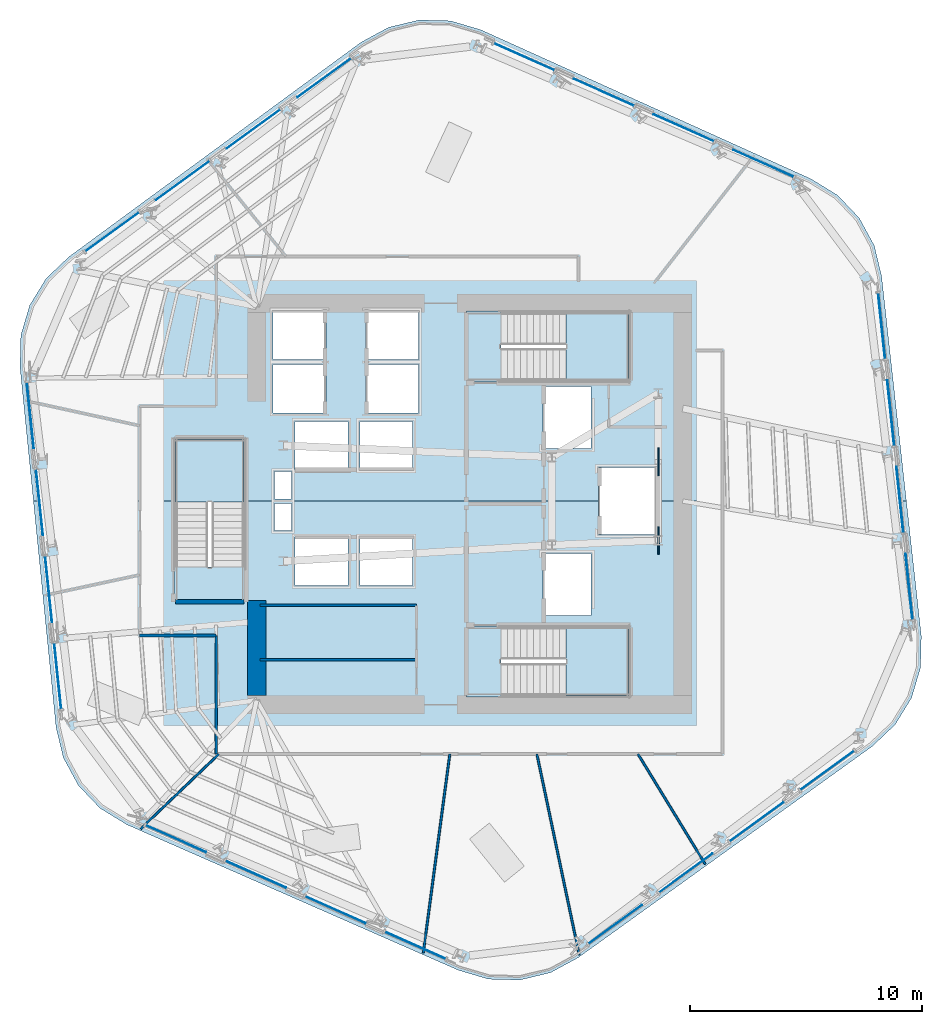
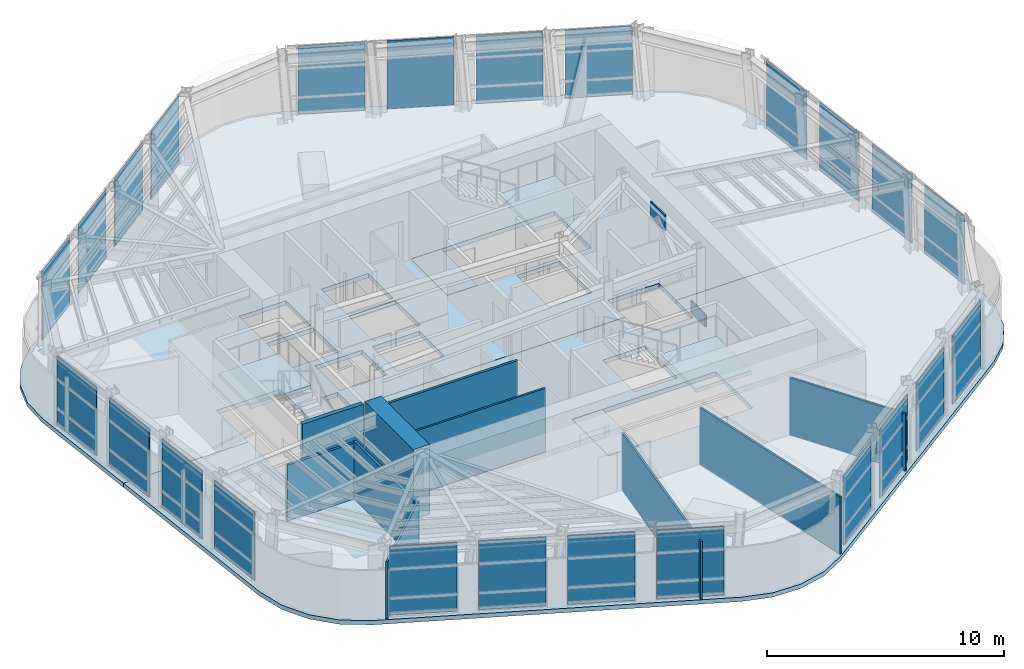
# One storey, part 7 of 14: 26 plates, 10 walls, 8 slabs, 9 elements without a shape of their own.
"""IFC4 building model written with IfcOpenShell, lengths in metres."""

from ifc_helpers import new_model, si_unit, direction, frame, frame_2d, origin, origin_2d, place, context, subcontext, project, spatial, polyline, rectangle, outline, extrude, material, layer, layer_set, type_object, element, aggregate, save


model = new_model("IFC4")

# Units and contexts
model_context = context("Model", 3, precision=1e-05, world=origin(), true_north=direction((0.0, 1.0)))
body_context = subcontext(model_context, "Body", "Model", "MODEL_VIEW")
ifc_project = project(units=[si_unit("LENGTHUNIT", "METRE"), si_unit("AREAUNIT", "SQUARE_METRE"), si_unit("VOLUMEUNIT", "CUBIC_METRE"), si_unit("PLANEANGLEUNIT", "RADIAN"), si_unit("MASSUNIT", "GRAM", prefix="KILO")], contexts=[model_context])

# Site, building, storey
site_placement = place(None, origin())
site = spatial("IfcSite", under=ifc_project, at=site_placement, CompositionType="ELEMENT")
building_placement = place(site_placement, origin())
building = spatial("IfcBuilding", under=site, at=building_placement, Name="Valkerne Bourse Tower", CompositionType="ELEMENT")
storey_placement = place(building_placement, frame((0.0, 0.0, 178.0)))
storey = spatial("IfcBuildingStorey", under=building, at=storey_placement, Name="L45", CompositionType="ELEMENT", Elevation=178.0)

# Curtain wall, plates
ifc_material_1 = material(Name="Aluminium AA 6063-T6", Category="aluminium")
ifc_layer_1 = layer(ifc_material_1, 0.235107421875)
ifc_layer_set_1 = layer_set([ifc_layer_1], Name="Aluminium AA 6063-T6")
curtain_wall_type = type_object("IfcCurtainWallType", Name="CW-03", PredefinedType="NOTDEFINED", material=ifc_layer_set_1)
curtain_wall_1_placement = place(storey_placement, origin())
curtain_wall_1 = element("IfcCurtainWall", 1, at=curtain_wall_1_placement, inside=storey, type_object=curtain_wall_type, Name="L45 Hexagonal Stick Curtain Wall Face 1", PredefinedType="NOTDEFINED")
ifc_material_2 = material(Name="Glass IGU Low-E Double Glazed", Category="glass")
ifc_layer_2 = layer(ifc_material_2, 0.031982421875)
ifc_layer_set_2 = layer_set([ifc_layer_2], Name="Glass IGU Low-E Double Glazed")
plate_type_1 = type_object("IfcPlateType", Name="CW-PNL-IGU-32", PredefinedType="CURTAIN_PANEL", material=ifc_layer_set_2)
plate_1_placement = place(storey_placement, frame((59.4853515625, 41.584716796875, 0.030029296875), z_axis=(0.0, 0.0, 1.0), x_axis=(-0.913546720929, 0.406733805676, 0.0)))
plate_1 = element("IfcPlate", 2, at=plate_1_placement, type_object=plate_type_1, Name="CW-L45-F1 Curtain Panel 00", PredefinedType="CURTAIN_PANEL", context=body_context, shape_type="SweptSolid", body=[
    extrude(rectangle(XDim=2.85107421875, YDim=0.031982421875, at=origin_2d()), origin(), (0.0, 0.0, 1.0), 3.52001953125),
])
plate_2_placement = place(storey_placement, frame((56.040283203125, 43.118408203125, 0.030029296875), z_axis=(0.0, 0.0, 1.0), x_axis=(-0.913546720929, 0.406733805676, 0.0)))
plate_2 = element("IfcPlate", 3, at=plate_2_placement, type_object=plate_type_1, Name="CW-L45-F1 Curtain Panel 01", PredefinedType="CURTAIN_PANEL", context=body_context, shape_type="SweptSolid", body=[
    extrude(rectangle(XDim=2.85107421875, YDim=0.031982421875, at=origin_2d()), origin(), (0.0, 0.0, 1.0), 3.52001953125),
])
plate_3_placement = place(storey_placement, frame((52.59521484375, 44.652099609375, 0.030029296875), z_axis=(0.0, 0.0, 1.0), x_axis=(-0.913546720929, 0.406733805676, 0.0)))
plate_3 = element("IfcPlate", 4, at=plate_3_placement, type_object=plate_type_1, Name="CW-L45-F1 Curtain Panel 02", PredefinedType="CURTAIN_PANEL", context=body_context, shape_type="SweptSolid", body=[
    extrude(rectangle(XDim=2.85107421875, YDim=0.031982421875, at=origin_2d()), origin(), (0.0, 0.0, 1.0), 3.52001953125),
])
plate_4_placement = place(storey_placement, frame((49.150390625, 46.18603515625, 0.030029296875), z_axis=(0.0, 0.0, 1.0), x_axis=(-0.913542333826, 0.406743659211, 0.0)))
plate_4 = element("IfcPlate", 5, at=plate_4_placement, type_object=plate_type_1, Name="CW-L45-F1 Curtain Panel 03", PredefinedType="CURTAIN_PANEL", context=body_context, shape_type="SweptSolid", body=[
    extrude(rectangle(XDim=2.850830078125, YDim=0.031982421875, at=origin_2d()), origin(), (0.0, 0.0, 1.0), 3.52001953125),
])
aggregate(curtain_wall_1, [plate_1, plate_2, plate_3, plate_4])

curtain_wall_2_placement = place(storey_placement, origin())
curtain_wall_2 = element("IfcCurtainWall", 6, at=curtain_wall_2_placement, inside=storey, type_object=curtain_wall_type, Name="L45 Hexagonal Stick Curtain Wall Face 2", PredefinedType="NOTDEFINED")
plate_5_placement = place(storey_placement, frame((40.51220703125, 45.278076171875, 0.030029296875), z_axis=(0.0, 0.0, 1.0), x_axis=(-0.809008916878, -0.587796369853, 0.0)))
plate_5 = element("IfcPlate", 7, at=plate_5_placement, type_object=plate_type_1, Name="CW-L45-F2 Curtain Panel 00", PredefinedType="CURTAIN_PANEL", context=body_context, shape_type="SweptSolid", body=[
    extrude(rectangle(XDim=2.85107421875, YDim=0.031982421875, at=origin_2d()), origin(), (0.0, 0.0, 1.0), 3.52001953125),
])
plate_6_placement = place(storey_placement, frame((37.461181640625, 43.0615234375, 0.030029296875), z_axis=(0.0, 0.0, 1.0), x_axis=(-0.809021527022, -0.587779013589, 0.0)))
plate_6 = element("IfcPlate", 8, at=plate_6_placement, type_object=plate_type_1, Name="CW-L45-F2 Curtain Panel 01", PredefinedType="CURTAIN_PANEL", context=body_context, shape_type="SweptSolid", body=[
    extrude(rectangle(XDim=2.85107421875, YDim=0.031982421875, at=origin_2d()), origin(), (0.0, 0.0, 1.0), 3.52001953125),
])
plate_7_placement = place(storey_placement, frame((34.410400390625, 40.844970703125, 0.030029296875), z_axis=(0.0, 0.0, 1.0), x_axis=(-0.809008916878, -0.587796369853, 0.0)))
plate_7 = element("IfcPlate", 9, at=plate_7_placement, type_object=plate_type_1, Name="CW-L45-F2 Curtain Panel 02", PredefinedType="CURTAIN_PANEL", context=body_context, shape_type="SweptSolid", body=[
    extrude(rectangle(XDim=2.85107421875, YDim=0.031982421875, at=origin_2d()), origin(), (0.0, 0.0, 1.0), 3.52001953125),
])
plate_8_placement = place(storey_placement, frame((31.359619140625, 38.62841796875, 0.030029296875), z_axis=(0.0, 0.0, 1.0), x_axis=(-0.809021527022, -0.587779013589, 0.0)))
plate_8 = element("IfcPlate", 10, at=plate_8_placement, type_object=plate_type_1, Name="CW-L45-F2 Curtain Panel 03", PredefinedType="CURTAIN_PANEL", context=body_context, shape_type="SweptSolid", body=[
    extrude(rectangle(XDim=2.85107421875, YDim=0.031982421875, at=origin_2d()), origin(), (0.0, 0.0, 1.0), 3.52001953125),
])
aggregate(curtain_wall_2, [plate_5, plate_6, plate_7, plate_8])

curtain_wall_3_placement = place(storey_placement, origin())
curtain_wall_3 = element("IfcCurtainWall", 11, at=curtain_wall_3_placement, inside=storey, type_object=curtain_wall_type, Name="L45 Hexagonal Stick Curtain Wall Face 3", PredefinedType="NOTDEFINED")
plate_9_placement = place(storey_placement, frame((27.826904296875, 30.693603515625, 0.030029296875), z_axis=(0.0, 0.0, 1.0), x_axis=(0.104535698832, -0.994521134853, 0.0)))
plate_9 = element("IfcPlate", 12, at=plate_9_placement, type_object=plate_type_1, Name="CW-L45-F3 Curtain Panel 00", PredefinedType="CURTAIN_PANEL", context=body_context, shape_type="SweptSolid", body=[
    extrude(rectangle(XDim=2.85107421875, YDim=0.031982421875, at=origin_2d()), origin(), (0.0, 0.0, 1.0), 3.52001953125),
])
plate_10_placement = place(storey_placement, frame((28.220947265625, 26.943115234375, 0.030029296875), z_axis=(0.0, 0.0, 1.0), x_axis=(0.104532941982, -0.994521424626, 0.0)))
plate_10 = element("IfcPlate", 13, at=plate_10_placement, type_object=plate_type_1, Name="CW-L45-F3 Curtain Panel 01", PredefinedType="CURTAIN_PANEL", context=body_context, shape_type="SweptSolid", body=[
    extrude(rectangle(XDim=2.85107421875, YDim=0.031982421875, at=origin_2d()), origin(), (0.0, 0.0, 1.0), 3.52001953125),
])
plate_11_placement = place(storey_placement, frame((28.614990234375, 23.19287109375, 0.030029296875), z_axis=(0.0, 0.0, 1.0), x_axis=(0.104509470074, -0.99452389145, 0.0)))
plate_11 = element("IfcPlate", 14, at=plate_11_placement, type_object=plate_type_1, Name="CW-L45-F3 Curtain Panel 02", PredefinedType="CURTAIN_PANEL", context=body_context, shape_type="SweptSolid", body=[
    extrude(rectangle(XDim=2.850830078125, YDim=0.031982421875, at=origin_2d()), origin(), (0.0, 0.0, 1.0), 3.52001953125),
])
plate_12_placement = place(storey_placement, frame((29.00927734375, 19.4423828125, 0.030029296875), z_axis=(0.0, 0.0, 1.0), x_axis=(0.104532941982, -0.994521424626, 0.0)))
plate_12 = element("IfcPlate", 15, at=plate_12_placement, type_object=plate_type_1, Name="CW-L45-F3 Curtain Panel 03", PredefinedType="CURTAIN_PANEL", context=body_context, shape_type="SweptSolid", body=[
    extrude(rectangle(XDim=2.85107421875, YDim=0.031982421875, at=origin_2d()), origin(), (0.0, 0.0, 1.0), 3.52001953125),
])
aggregate(curtain_wall_3, [plate_9, plate_10, plate_11, plate_12])

curtain_wall_4_placement = place(storey_placement, origin())
curtain_wall_4 = element("IfcCurtainWall", 16, at=curtain_wall_4_placement, inside=storey, type_object=curtain_wall_type, Name="L45 Hexagonal Stick Curtain Wall Face 4", PredefinedType="NOTDEFINED")
plate_13_placement = place(storey_placement, frame((34.11474609375, 12.415283203125, 0.030029296875), z_axis=(0.0, 0.0, 1.0), x_axis=(0.913546720929, -0.406733805676, 0.0)))
plate_13 = element("IfcPlate", 17, at=plate_13_placement, type_object=plate_type_1, Name="CW-L45-F4 Curtain Panel 00", PredefinedType="CURTAIN_PANEL", context=body_context, shape_type="SweptSolid", body=[
    extrude(rectangle(XDim=2.85107421875, YDim=0.031982421875, at=origin_2d()), origin(), (0.0, 0.0, 1.0), 3.52001953125),
])
plate_14_placement = place(storey_placement, frame((37.559814453125, 10.881591796875, 0.030029296875), z_axis=(0.0, 0.0, 1.0), x_axis=(0.913546720929, -0.406733805676, 0.0)))
plate_14 = element("IfcPlate", 18, at=plate_14_placement, type_object=plate_type_1, Name="CW-L45-F4 Curtain Panel 01", PredefinedType="CURTAIN_PANEL", context=body_context, shape_type="SweptSolid", body=[
    extrude(rectangle(XDim=2.85107421875, YDim=0.031982421875, at=origin_2d()), origin(), (0.0, 0.0, 1.0), 3.52001953125),
])
plate_15_placement = place(storey_placement, frame((41.004638671875, 9.347900390625, 0.030029296875), z_axis=(0.0, 0.0, 1.0), x_axis=(0.913546720929, -0.406733805676, 0.0)))
plate_15 = element("IfcPlate", 19, at=plate_15_placement, type_object=plate_type_1, Name="CW-L45-F4 Curtain Panel 02", PredefinedType="CURTAIN_PANEL", context=body_context, shape_type="SweptSolid", body=[
    extrude(rectangle(XDim=2.85107421875, YDim=0.031982421875, at=origin_2d()), origin(), (0.0, 0.0, 1.0), 3.52001953125),
])
plate_16_placement = place(storey_placement, frame((44.44970703125, 7.81396484375, 0.030029296875), z_axis=(0.0, 0.0, 1.0), x_axis=(0.913542333826, -0.406743659211, 0.0)))
plate_16 = element("IfcPlate", 20, at=plate_16_placement, type_object=plate_type_1, Name="CW-L45-F4 Curtain Panel 03", PredefinedType="CURTAIN_PANEL", context=body_context, shape_type="SweptSolid", body=[
    extrude(rectangle(XDim=2.850830078125, YDim=0.031982421875, at=origin_2d()), origin(), (0.0, 0.0, 1.0), 3.52001953125),
])
aggregate(curtain_wall_4, [plate_13, plate_14, plate_15, plate_16])

curtain_wall_5_placement = place(storey_placement, origin())
curtain_wall_5 = element("IfcCurtainWall", 21, at=curtain_wall_5_placement, inside=storey, type_object=curtain_wall_type, Name="L45 Hexagonal Stick Curtain Wall Face 5", PredefinedType="NOTDEFINED")
plate_17_placement = place(storey_placement, frame((53.087890625, 8.721923828125, 0.030029296875), z_axis=(0.0, 0.0, 1.0), x_axis=(0.809008916878, 0.587796369853, 0.0)))
plate_17 = element("IfcPlate", 22, at=plate_17_placement, type_object=plate_type_1, Name="CW-L45-F5 Curtain Panel 00", PredefinedType="CURTAIN_PANEL", context=body_context, shape_type="SweptSolid", body=[
    extrude(rectangle(XDim=2.85107421875, YDim=0.031982421875, at=origin_2d()), origin(), (0.0, 0.0, 1.0), 3.52001953125),
])
plate_18_placement = place(storey_placement, frame((56.138916015625, 10.9384765625, 0.030029296875), z_axis=(0.0, 0.0, 1.0), x_axis=(0.809021527022, 0.587779013589, 0.0)))
plate_18 = element("IfcPlate", 23, at=plate_18_placement, type_object=plate_type_1, Name="CW-L45-F5 Curtain Panel 01", PredefinedType="CURTAIN_PANEL", context=body_context, shape_type="SweptSolid", body=[
    extrude(rectangle(XDim=2.85107421875, YDim=0.031982421875, at=origin_2d()), origin(), (0.0, 0.0, 1.0), 3.52001953125),
])
plate_19_placement = place(storey_placement, frame((59.189453125, 13.155029296875, 0.030029296875), z_axis=(0.0, 0.0, 1.0), x_axis=(0.809008916878, 0.587796369853, 0.0)))
plate_19 = element("IfcPlate", 24, at=plate_19_placement, type_object=plate_type_1, Name="CW-L45-F5 Curtain Panel 02", PredefinedType="CURTAIN_PANEL", context=body_context, shape_type="SweptSolid", body=[
    extrude(rectangle(XDim=2.85107421875, YDim=0.031982421875, at=origin_2d()), origin(), (0.0, 0.0, 1.0), 3.52001953125),
])
plate_20_placement = place(storey_placement, frame((62.240234375, 15.37158203125, 0.030029296875), z_axis=(0.0, 0.0, 1.0), x_axis=(0.809021527022, 0.587779013589, 0.0)))
plate_20 = element("IfcPlate", 25, at=plate_20_placement, type_object=plate_type_1, Name="CW-L45-F5 Curtain Panel 03", PredefinedType="CURTAIN_PANEL", context=body_context, shape_type="SweptSolid", body=[
    extrude(rectangle(XDim=2.85107421875, YDim=0.031982421875, at=origin_2d()), origin(), (0.0, 0.0, 1.0), 3.52001953125),
])
aggregate(curtain_wall_5, [plate_17, plate_18, plate_19, plate_20])

curtain_wall_6_placement = place(storey_placement, origin())
curtain_wall_6 = element("IfcCurtainWall", 26, at=curtain_wall_6_placement, inside=storey, type_object=curtain_wall_type, Name="L45 Hexagonal Stick Curtain Wall Face 6", PredefinedType="NOTDEFINED")
plate_21_placement = place(storey_placement, frame((65.773193359375, 23.306396484375, 0.030029296875), z_axis=(0.0, 0.0, 1.0), x_axis=(-0.104535698832, 0.994521134853, 0.0)))
plate_21 = element("IfcPlate", 27, at=plate_21_placement, type_object=plate_type_1, Name="CW-L45-F6 Curtain Panel 00", PredefinedType="CURTAIN_PANEL", context=body_context, shape_type="SweptSolid", body=[
    extrude(rectangle(XDim=2.85107421875, YDim=0.031982421875, at=origin_2d()), origin(), (0.0, 0.0, 1.0), 3.52001953125),
])
plate_22_placement = place(storey_placement, frame((65.37890625, 27.056884765625, 0.030029296875), z_axis=(0.0, 0.0, 1.0), x_axis=(-0.104532941982, 0.994521424626, 0.0)))
plate_22 = element("IfcPlate", 28, at=plate_22_placement, type_object=plate_type_1, Name="CW-L45-F6 Curtain Panel 01", PredefinedType="CURTAIN_PANEL", context=body_context, shape_type="SweptSolid", body=[
    extrude(rectangle(XDim=2.85107421875, YDim=0.031982421875, at=origin_2d()), origin(), (0.0, 0.0, 1.0), 3.52001953125),
])
plate_23_placement = place(storey_placement, frame((64.98486328125, 30.80712890625, 0.030029296875), z_axis=(0.0, 0.0, 1.0), x_axis=(-0.104509470074, 0.99452389145, 0.0)))
plate_23 = element("IfcPlate", 29, at=plate_23_placement, type_object=plate_type_1, Name="CW-L45-F6 Curtain Panel 02", PredefinedType="CURTAIN_PANEL", context=body_context, shape_type="SweptSolid", body=[
    extrude(rectangle(XDim=2.850830078125, YDim=0.031982421875, at=origin_2d()), origin(), (0.0, 0.0, 1.0), 3.52001953125),
])
plate_24_placement = place(storey_placement, frame((64.5908203125, 34.5576171875, 0.030029296875), z_axis=(0.0, 0.0, 1.0), x_axis=(-0.104532941982, 0.994521424626, 0.0)))
plate_24 = element("IfcPlate", 30, at=plate_24_placement, type_object=plate_type_1, Name="CW-L45-F6 Curtain Panel 03", PredefinedType="CURTAIN_PANEL", context=body_context, shape_type="SweptSolid", body=[
    extrude(rectangle(XDim=2.85107421875, YDim=0.031982421875, at=origin_2d()), origin(), (0.0, 0.0, 1.0), 3.52001953125),
])
aggregate(curtain_wall_6, [plate_21, plate_22, plate_23, plate_24])

# Plates
ifc_material_3 = material(Name="Steel ASTM A572 Grade 50", Category="steel")
ifc_layer_3 = layer(ifc_material_3, 0.06005859375)
ifc_layer_set_3 = layer_set([ifc_layer_3], Name="Steel ASTM A572 Grade 50")
plate_type_2 = type_object("IfcPlateType", Name="PLT-GUS-60", PredefinedType="SHEET", material=ifc_layer_set_3)
for number, where, z_axis, x_axis, name in (
    (31, (54.949951171875, 25.300048828125, -0.18017578125), (0.0, 0.0, 1.0), (0.0, 1.0, 0.0), "L45 Brace Node Gusset Plate PLT-GUS-END-L45-406"),
    (32, (54.949951171875, 28.699951171875, 2.8740234375), (0.0, 0.0, 1.0), (0.0, 1.0, 0.0), "L45 Brace Node Gusset Plate PLT-GUS-END-L45-407"),
):
    element("IfcPlate", number, at=place(storey_placement, frame(where, z_axis=z_axis, x_axis=x_axis)), inside=storey, type_object=plate_type_2, Name=name, PredefinedType="SHEET", context=body_context, shape_type="SweptSolid", body=[
        extrude(rectangle(XDim=1.199951171875, YDim=0.06005859375, at=origin_2d()), origin(), (0.0, 0.0, 1.0), 0.800048828125),
    ])

# Slabs
ifc_material_4 = material(Name="Concrete C40/50", Category="concrete")
ifc_layer_4 = layer(ifc_material_4, 0.25)
ifc_layer_set_4 = layer_set([ifc_layer_4], Name="Concrete C40/50")
slab_type_1 = type_object("IfcSlabType", Name="SLB-RMP-LND-250", PredefinedType="LANDING", material=ifc_layer_set_4)
slab_1_placement = place(storey_placement, frame((0.0, 0.0, -0.219970703125)))
element("IfcSlab", 33, at=slab_1_placement, inside=storey, type_object=slab_type_1, Name="L45 ST-1 Floor Landing Slab", PredefinedType="LANDING", context=body_context, shape_type="SweptSolid", body=[
    extrude(outline(polyline([(46.669921875, 18.5400390625), (48.14990234375, 18.5400390625), (48.14990234375, 21.610107421875), (46.669921875, 21.610107421875), (46.669921875, 18.5400390625)])), origin(), (0.0, 0.0, 1.0), 0.219970703125),
])
slab_2_placement = place(storey_placement, frame((0.0, 0.0, -0.219970703125)))
element("IfcSlab", 34, at=slab_2_placement, inside=storey, type_object=slab_type_1, Name="L45 ST-2 Floor Landing Slab", PredefinedType="LANDING", context=body_context, shape_type="SweptSolid", body=[
    extrude(outline(polyline([(46.669921875, 32.139892578125), (48.14990234375, 32.139892578125), (48.14990234375, 35.2099609375), (46.669921875, 35.2099609375), (46.669921875, 32.139892578125)])), origin(), (0.0, 0.0, 1.0), 0.219970703125),
])
slab_3_placement = place(storey_placement, frame((0.0, 0.0, -0.219970703125)))
element("IfcSlab", 35, at=slab_3_placement, inside=storey, type_object=slab_type_1, Name="L45 ST-3 Floor Landing Slab", PredefinedType="LANDING", context=body_context, shape_type="SweptSolid", body=[
    extrude(outline(polyline([(37.110107421875, 22.669921875), (37.110107421875, 24.14990234375), (34.0400390625, 24.14990234375), (34.0400390625, 22.669921875), (37.110107421875, 22.669921875)])), origin(), (0.0, 0.0, 1.0), 0.219970703125),
])

# Stair, slab
stair_type = type_object("IfcStairType", Name="ST-CORE-1400", PredefinedType="HALF_TURN_STAIR", material=ifc_material_4)
stair_1_placement = place(storey_placement, origin())
stair_1 = element("IfcStair", 36, at=stair_1_placement, inside=storey, type_object=stair_type, Name="L45 ST-1", PredefinedType="HALF_TURN_STAIR")
ifc_layer_5 = layer(ifc_material_4, 0.179931640625)
ifc_layer_set_5 = layer_set([ifc_layer_5], Name="Concrete C40/50")
slab_type_2 = type_object("IfcSlabType", Name="SLB-ST-LND-180", PredefinedType="LANDING", material=ifc_layer_set_5)
slab_4_placement = place(storey_placement, frame((0.0, 0.0, 1.699951171875)))
slab_4 = element("IfcSlab", 37, at=slab_4_placement, type_object=slab_type_2, Name="ST-1 landing 1", PredefinedType="LANDING", context=body_context, shape_type="SweptSolid", body=[
    extrude(outline(polyline([(50.949951171875, 18.60009765625), (53.64990234375, 18.60009765625), (53.64990234375, 21.550048828125), (50.949951171875, 21.550048828125), (50.949951171875, 18.60009765625)])), origin(), (0.0, 0.0, 1.0), 0.199951171875),
])
aggregate(stair_1, [slab_4])

stair_2_placement = place(storey_placement, origin())
stair_2 = element("IfcStair", 38, at=stair_2_placement, inside=storey, type_object=stair_type, Name="L45 ST-2", PredefinedType="HALF_TURN_STAIR")
slab_5_placement = place(storey_placement, frame((0.0, 0.0, 1.699951171875)))
slab_5 = element("IfcSlab", 39, at=slab_5_placement, type_object=slab_type_2, Name="ST-2 landing 1", PredefinedType="LANDING", context=body_context, shape_type="SweptSolid", body=[
    extrude(outline(polyline([(50.949951171875, 32.199951171875), (53.64990234375, 32.199951171875), (53.64990234375, 35.14990234375), (50.949951171875, 35.14990234375), (50.949951171875, 32.199951171875)])), origin(), (0.0, 0.0, 1.0), 0.199951171875),
])
aggregate(stair_2, [slab_5])

stair_3_placement = place(storey_placement, origin())
stair_3 = element("IfcStair", 40, at=stair_3_placement, inside=storey, type_object=stair_type, Name="L45 ST-3", PredefinedType="HALF_TURN_STAIR")
slab_6_placement = place(storey_placement, frame((0.0, 0.0, 1.699951171875)))
slab_6 = element("IfcSlab", 41, at=slab_6_placement, type_object=slab_type_2, Name="ST-3 landing 1", PredefinedType="LANDING", context=body_context, shape_type="SweptSolid", body=[
    extrude(outline(polyline([(37.050048828125, 26.949951171875), (37.050048828125, 29.64990234375), (34.10009765625, 29.64990234375), (34.10009765625, 26.949951171875), (37.050048828125, 26.949951171875)])), origin(), (0.0, 0.0, 1.0), 0.199951171875),
])
aggregate(stair_3, [slab_6])

# Slabs
ifc_layer_6 = layer(ifc_material_4, 0.219970703125)
ifc_layer_set_6 = layer_set([ifc_layer_6], Name="Concrete C40/50")
slab_type_3 = type_object("IfcSlabType", Name="SLB-TOW-220", PredefinedType="FLOOR", material=ifc_layer_set_6)
slab_7_placement = place(storey_placement, frame((0.0, 0.0, -0.219970703125)))
element("IfcSlab", 42, at=slab_7_placement, inside=storey, type_object=slab_type_3, Name="L45 Hexagonal Composite Floor Slab S", PredefinedType="FLOOR", context=body_context, shape_type="SweptSolid", body=[
    extrude(outline(polyline([(66.2685546875, 19.805419921875), (65.8828125, 18.503662109375), (65.173583984375, 17.34619140625), (64.18896484375, 16.411865234375), (51.48681640625, 7.282958984375), (50.293701171875, 6.63525390625), (48.9736328125, 6.318359375), (47.61669921875, 6.35400390625), (46.315185546875, 6.739501953125), (31.992431640625, 13.02783203125), (30.8349609375, 13.7373046875), (29.900634765625, 14.7216796875), (29.252685546875, 15.914794921875), (28.935791015625, 17.23486328125), (27.96044921875, 27.0), (34.034912109375, 27.0), (34.034912109375, 22.6650390625), (37.114990234375, 22.6650390625), (37.114990234375, 27.0), (52.360107421875, 27.0), (52.360107421875, 25.56005859375), (54.840087890625, 25.56005859375), (54.840087890625, 27.0), (65.659912109375, 27.0), (66.303955078125, 21.162353515625), (66.2685546875, 19.805419921875)]), holes=[polyline([(41.5400390625, 25.43994140625), (39.260009765625, 25.43994140625), (39.260009765625, 23.360107421875), (41.5400390625, 23.360107421875), (41.5400390625, 25.43994140625)]), polyline([(44.340087890625, 25.43994140625), (42.06005859375, 25.43994140625), (42.06005859375, 23.360107421875), (44.340087890625, 23.360107421875), (44.340087890625, 25.43994140625)]), polyline([(39.10009765625, 26.89990234375), (38.3798828125, 26.89990234375), (38.3798828125, 25.72998046875), (39.10009765625, 25.72998046875), (39.10009765625, 26.89990234375)]), polyline([(53.675048828125, 21.614990234375), (46.6650390625, 21.614990234375), (46.6650390625, 18.534912109375), (53.675048828125, 18.534912109375), (53.675048828125, 21.614990234375)]), polyline([(52.0400390625, 24.739990234375), (49.9599609375, 24.739990234375), (49.9599609375, 22.06005859375), (52.0400390625, 22.06005859375), (52.0400390625, 24.739990234375)])]), origin(), (0.0, 0.0, 1.0), 0.219970703125),
])
slab_8_placement = place(storey_placement, frame((0.0, 0.0, -0.219970703125)))
element("IfcSlab", 43, at=slab_8_placement, inside=storey, type_object=slab_type_3, Name="L45 Hexagonal Composite Floor Slab N", PredefinedType="FLOOR", context=body_context, shape_type="SweptSolid", body=[
    extrude(outline(polyline([(27.381103515625, 32.7998046875), (27.416748046875, 34.15673828125), (27.80224609375, 35.458251953125), (28.51171875, 36.61572265625), (29.496337890625, 37.55029296875), (42.103515625, 46.809814453125), (43.296630859375, 47.45751953125), (44.616455078125, 47.7744140625), (45.973388671875, 47.739013671875), (47.275146484375, 47.353271484375), (61.531982421875, 40.917236328125), (62.689453125, 40.2080078125), (63.6240234375, 39.223388671875), (64.271728515625, 38.030517578125), (64.588623046875, 36.71044921875), (65.659912109375, 27.0), (54.840087890625, 27.0), (54.840087890625, 28.43994140625), (52.360107421875, 28.43994140625), (52.360107421875, 27.0), (37.114990234375, 27.0), (37.114990234375, 29.675048828125), (34.034912109375, 29.675048828125), (34.034912109375, 27.0), (27.96044921875, 27.0), (27.381103515625, 32.7998046875)]), holes=[polyline([(39.10009765625, 28.27001953125), (38.3798828125, 28.27001953125), (38.3798828125, 27.10009765625), (39.10009765625, 27.10009765625), (39.10009765625, 28.27001953125)]), polyline([(41.5400390625, 30.43994140625), (39.260009765625, 30.43994140625), (39.260009765625, 28.360107421875), (41.5400390625, 28.360107421875), (41.5400390625, 30.43994140625)]), polyline([(40.590087890625, 32.889892578125), (38.31005859375, 32.889892578125), (38.31005859375, 30.81005859375), (40.590087890625, 30.81005859375), (40.590087890625, 32.889892578125)]), polyline([(40.590087890625, 35.18994140625), (38.31005859375, 35.18994140625), (38.31005859375, 33.110107421875), (40.590087890625, 33.110107421875), (40.590087890625, 35.18994140625)]), polyline([(44.340087890625, 30.43994140625), (42.06005859375, 30.43994140625), (42.06005859375, 28.360107421875), (44.340087890625, 28.360107421875), (44.340087890625, 30.43994140625)]), polyline([(52.0400390625, 31.93994140625), (49.9599609375, 31.93994140625), (49.9599609375, 29.260009765625), (52.0400390625, 29.260009765625), (52.0400390625, 31.93994140625)]), polyline([(44.590087890625, 32.889892578125), (42.31005859375, 32.889892578125), (42.31005859375, 30.81005859375), (44.590087890625, 30.81005859375), (44.590087890625, 32.889892578125)]), polyline([(53.675048828125, 35.215087890625), (46.6650390625, 35.215087890625), (46.6650390625, 32.135009765625), (53.675048828125, 32.135009765625), (53.675048828125, 35.215087890625)]), polyline([(44.590087890625, 35.18994140625), (42.31005859375, 35.18994140625), (42.31005859375, 33.110107421875), (44.590087890625, 33.110107421875), (44.590087890625, 35.18994140625)])]), origin(), (0.0, 0.0, 1.0), 0.219970703125),
])

# Walls
ifc_material_5 = material(Name="Concrete C55/67", Category="concrete")
ifc_layer_7 = layer(ifc_material_5, 0.800048828125)
ifc_layer_set_7 = layer_set([ifc_layer_7], Name="Concrete C55/67")
wall_type_1 = type_object("IfcWallType", Name="W-CORE-800", PredefinedType="SHEAR", material=ifc_layer_set_7)
wall_1_placement = place(storey_placement, frame((37.60009765625, 18.60009765625, 0.0), z_axis=(0.0, 0.0, 1.0), x_axis=(0.0, 1.0, 0.0)))
element("IfcWall", 44, at=wall_1_placement, inside=storey, type_object=wall_type_1, Name="L45 Core Shear Wall WEST-S", PredefinedType="SHEAR", context=body_context, shape_type="SweptSolid", body=[
    extrude(rectangle(XDim=4.099853515625, YDim=0.800048828125, at=frame_2d((2.0498046875, 0.0))), origin(), (0.0, 0.0, 1.0), 3.580078125),
])
ifc_material_6 = material(Name="Gypsum Board Steel-Stud Partition", Category="steel")
ifc_layer_8 = layer(ifc_material_6, 0.117919921875)
ifc_layer_set_8 = layer_set([ifc_layer_8], Name="Gypsum Board Steel-Stud Partition")
wall_type_2 = type_object("IfcWallType", Name="W-CORR-140", PredefinedType="PARTITIONING", material=ifc_layer_set_8)
wall_2_placement = place(storey_placement, frame((37.75, 22.5, 0.0), z_axis=(0.0, 0.0, 1.0), x_axis=(1.0, 0.0, 0.0)))
element("IfcWall", 45, at=wall_2_placement, inside=storey, type_object=wall_type_2, Name="L45 LV7 Low-Bank North Wall", PredefinedType="PARTITIONING", context=body_context, shape_type="SweptSolid", body=[
    extrude(rectangle(XDim=6.75, YDim=0.117919921875, at=frame_2d((3.375, 0.0))), origin(), (0.0, 0.0, 1.0), 3.280029296875),
])
wall_3_placement = place(storey_placement, frame((35.85009765625, 16.080078125, 0.0), z_axis=(0.0, 0.0, 1.0), x_axis=(0.0, 1.0, 0.0)))
element("IfcWall", 46, at=wall_3_placement, inside=storey, type_object=wall_type_2, Name="L45 Corridor Enclosure Wall", PredefinedType="PARTITIONING", context=body_context, shape_type="SweptSolid", body=[
    extrude(rectangle(XDim=5.119873046875, YDim=0.117919921875, at=frame_2d((2.56005859375, 0.0))), origin(), (0.0, 0.0, 1.0), 2.962890625),
])
wall_4_placement = place(storey_placement, frame((35.85009765625, 21.199951171875, 0.0), z_axis=(0.0, 0.0, 1.0), x_axis=(-1.0, 0.0, 0.0)))
element("IfcWall", 47, at=wall_4_placement, inside=storey, type_object=wall_type_2, Name="L45 Corridor Enclosure Wall", PredefinedType="PARTITIONING", context=body_context, shape_type="SweptSolid", body=[
    extrude(rectangle(XDim=3.300048828125, YDim=0.117919921875, at=frame_2d((1.64990234375, 0.0))), origin(), (0.0, 0.0, 1.0), 2.876708984375),
])
ifc_layer_9 = layer(ifc_material_6, 0.092041015625)
ifc_layer_set_9 = layer_set([ifc_layer_9], Name="Gypsum Board Steel-Stud Partition")
wall_type_3 = type_object("IfcWallType", Name="W-PART-115", PredefinedType="PARTITIONING", material=ifc_layer_set_9)
wall_5_placement = place(storey_placement, frame((37.75, 20.14990234375, 0.0), z_axis=(0.0, 0.0, 1.0), x_axis=(1.0, 0.0, 0.0)))
element("IfcWall", 48, at=wall_5_placement, inside=storey, type_object=wall_type_3, Name="L45 LV7 Low-Bank Sub-Divider", PredefinedType="PARTITIONING", context=body_context, shape_type="SweptSolid", body=[
    extrude(rectangle(XDim=6.75, YDim=0.092041015625, at=frame_2d((3.375, 0.0))), origin(), (0.0, 0.0, 1.0), 3.280029296875),
])
wall_6_placement = place(storey_placement, frame((45.9423828125, 16.074951171875, 0.0), z_axis=(0.0, 0.0, 1.0), x_axis=(-0.132263342728, -0.991214612569, 0.0)))
element("IfcWall", 49, at=wall_6_placement, inside=storey, type_object=wall_type_3, Name="L45 Suite Partition P01", PredefinedType="PARTITIONING", context=body_context, shape_type="SweptSolid", body=[
    extrude(rectangle(XDim=8.668212890625, YDim=0.092041015625, at=frame_2d((4.333984375, 0.0))), origin(), (0.0, 0.0, 1.0), 2.942626953125),
])
wall_7_placement = place(storey_placement, frame((49.702392578125, 16.074951171875, 0.0), z_axis=(0.0, 0.0, 1.0), x_axis=(0.206189521992, -0.978512075051, 0.0)))
element("IfcWall", 50, at=wall_7_placement, inside=storey, type_object=wall_type_3, Name="L45 Suite Partition P02", PredefinedType="PARTITIONING", context=body_context, shape_type="SweptSolid", body=[
    extrude(rectangle(XDim=8.864990234375, YDim=0.092041015625, at=frame_2d((4.4326171875, 0.0))), origin(), (0.0, 0.0, 1.0), 2.942626953125),
])
wall_8_placement = place(storey_placement, frame((54.068603515625, 16.074951171875, 0.0), z_axis=(0.0, 0.0, 1.0), x_axis=(0.521039233158, -0.853532727849, 0.0)))
element("IfcWall", 51, at=wall_8_placement, inside=storey, type_object=wall_type_3, Name="L45 Suite Partition P03", PredefinedType="PARTITIONING", context=body_context, shape_type="SweptSolid", body=[
    extrude(rectangle(XDim=5.578369140625, YDim=0.092041015625, at=frame_2d((2.7890625, 0.0))), origin(), (0.0, 0.0, 1.0), 2.942626953125),
])
wall_9_placement = place(storey_placement, frame((35.97021484375, 16.074951171875, 0.0), z_axis=(0.0, 0.0, 1.0), x_axis=(-0.722921753374, -0.690929908528, 0.0)))
element("IfcWall", 52, at=wall_9_placement, inside=storey, type_object=wall_type_3, Name="L45 Suite Partition P08", PredefinedType="PARTITIONING", context=body_context, shape_type="SweptSolid", body=[
    extrude(rectangle(XDim=4.677978515625, YDim=0.092041015625, at=frame_2d((2.3388671875, 0.0))), origin(), (0.0, 0.0, 1.0), 2.942626953125),
])
ifc_layer_10 = layer(ifc_material_4, 0.199951171875)
ifc_layer_set_10 = layer_set([ifc_layer_10], Name="Concrete C40/50")
wall_type_4 = type_object("IfcWallType", Name="W-SHF-200", PredefinedType="SHEAR", material=ifc_layer_set_10)
wall_10_placement = place(storey_placement, frame((34.10009765625, 22.64990234375, 0.0), z_axis=(0.0, 0.0, 1.0), x_axis=(1.0, 0.0, 0.0)))
element("IfcWall", 53, at=wall_10_placement, inside=storey, type_object=wall_type_4, Name="L45 Exit Stair ST-3 Structural Shaft Wall South", PredefinedType="SHEAR", context=body_context, shape_type="SweptSolid", body=[
    extrude(rectangle(XDim=2.949951171875, YDim=0.199951171875, at=frame_2d((1.47509765625, 0.0))), origin(), (0.0, 0.0, 1.0), 3.580078125),
])

save(model, "model.ifc")
